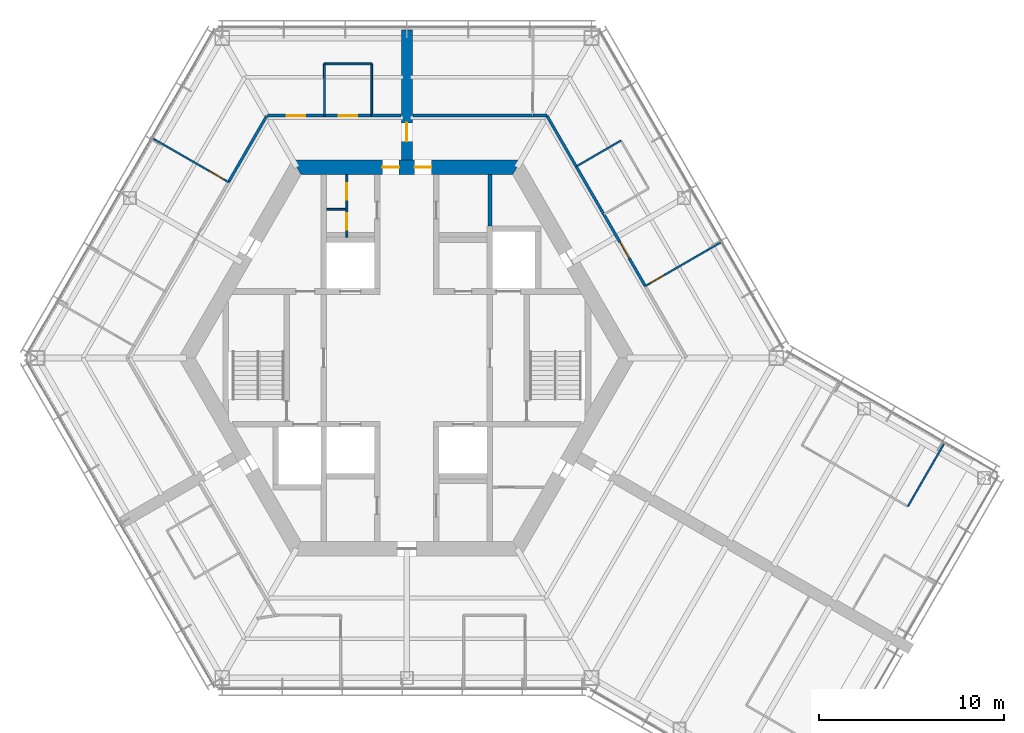
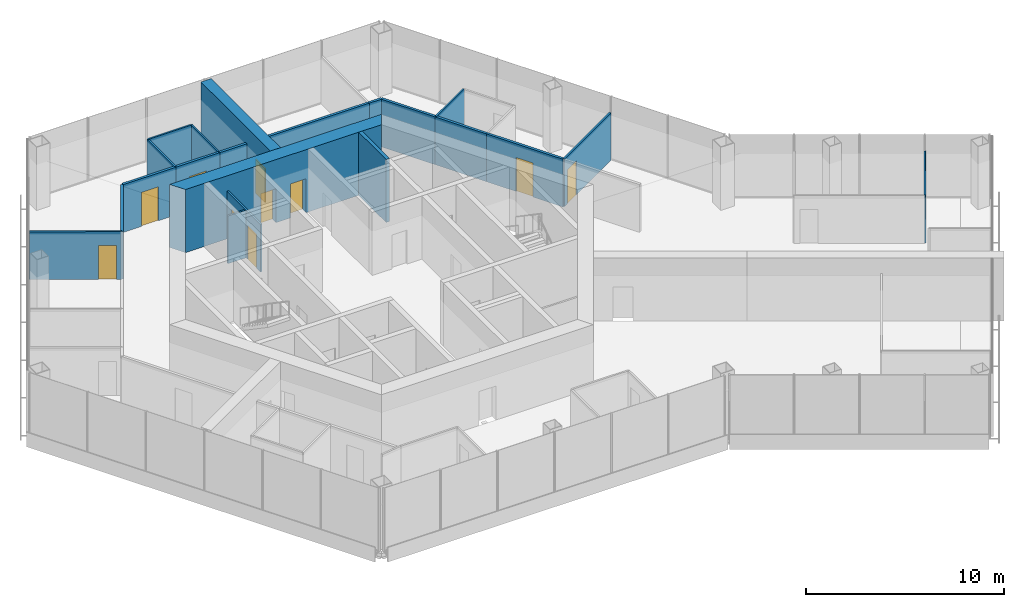
# One storey, part 12 of 16: 21 walls, 10 doors, 10 openings.
"""IFC4 building model written with IfcOpenShell, lengths in metres."""

from ifc_helpers import new_model, si_unit, direction, frame, frame_2d, origin, place, context, subcontext, project, spatial, polyline, rectangle, outline, extrude, material, layer, layer_set, type_object, element, fill, save


model = new_model("IFC4")

# Units and contexts
model_context = context("Model", 3, precision=1e-05, world=origin(), true_north=direction((0.0, 1.0)))
body_context = subcontext(model_context, "Body", "Model", "MODEL_VIEW")
ifc_project = project(units=[si_unit("LENGTHUNIT", "METRE"), si_unit("AREAUNIT", "SQUARE_METRE"), si_unit("VOLUMEUNIT", "CUBIC_METRE"), si_unit("PLANEANGLEUNIT", "RADIAN"), si_unit("MASSUNIT", "GRAM", prefix="KILO")], contexts=[model_context])

# Site, building, storey
site_placement = place(None, origin())
site = spatial("IfcSite", under=ifc_project, at=site_placement, CompositionType="ELEMENT")
building_placement = place(site_placement, origin())
building = spatial("IfcBuilding", under=site, at=building_placement, Name="Kasaneha Research Tower", CompositionType="ELEMENT")
storey_placement = place(building_placement, frame((0.0, 0.0, 263.5)))
storey = spatial("IfcBuildingStorey", under=building, at=storey_placement, Name="L66", CompositionType="ELEMENT", Elevation=263.5)

# Wall, openings, doors
ifc_material_1 = material(Name="Concrete Fc60", Category="concrete")
ifc_layer_1 = layer(ifc_material_1, 0.800048828125)
ifc_layer_set_1 = layer_set([ifc_layer_1], Name="Core wall 800 Fc60")
wall_type_1 = type_object("IfcWallType", Name="Core wall 800 Fc60", PredefinedType="SHEAR", material=ifc_layer_set_1)
wall_1_placement = place(storey_placement, frame((5.961181640625, 10.324951171875, 0.0), z_axis=(0.0, 0.0, 1.0), x_axis=(-1.0, 0.0, 0.0)))
wall_1 = element("IfcWall", 1, at=wall_1_placement, inside=storey, type_object=wall_type_1, Name="Core wall 090 L66", PredefinedType="SHEAR", context=body_context, shape_type="SweptSolid", body=[
    extrude(outline(polyline([(-0.23095703125, -0.39990234375), (4.63623046875, -0.39990234375), (5.5361328125, -0.39990234375), (6.38623046875, -0.39990234375), (7.2861328125, -0.39990234375), (12.1533203125, -0.39990234375), (11.69140625, 0.39990234375), (7.2861328125, 0.39990234375), (6.38623046875, 0.39990234375), (5.5361328125, 0.39990234375), (4.63623046875, 0.39990234375), (0.23095703125, 0.39990234375), (-0.23095703125, -0.39990234375)])), origin(), (0.0, 0.0, 1.0), 3.89990234375),
])
opening_1_placement = place(wall_1_placement, frame((6.38623046875, 0.0, 0.0)))
opening_1 = element("IfcOpeningElement", 2, at=opening_1_placement, cuts=wall_1, Name="Opening L66-D01", PredefinedType="OPENING", context=body_context, shape_type="SweptSolid", body=[
    extrude(rectangle(XDim=0.89990234375, YDim=2.10009765625, at=frame_2d((0.449951171875, 1.050048828125))), frame((0.0, 0.41015625, 0.0), z_axis=(0.0, -1.0, 0.0), x_axis=(1.0, 0.0, 0.0)), (0.0, 0.0, 1.0), 0.820068359375),
])
opening_2_placement = place(wall_1_placement, frame((4.63623046875, 0.0, 0.0)))
opening_2 = element("IfcOpeningElement", 3, at=opening_2_placement, cuts=wall_1, Name="Opening L66-D02", PredefinedType="OPENING", context=body_context, shape_type="SweptSolid", body=[
    extrude(rectangle(XDim=0.89990234375, YDim=2.10009765625, at=frame_2d((0.449951171875, 1.050048828125))), frame((0.0, 0.41015625, 0.0), z_axis=(0.0, -1.0, 0.0), x_axis=(1.0, 0.0, 0.0)), (0.0, 0.0, 1.0), 0.820068359375),
])
ifc_material_2 = material(Name="Steel", Category="steel")
door_type_1 = type_object("IfcDoorType", Name="Toilet door FD20 900x2100", OperationType="NOTDEFINED", PredefinedType="DOOR", material=ifc_material_2)
door_1_placement = place(opening_1_placement, origin())
door_1 = element("IfcDoor", 4, at=door_1_placement, inside=storey, type_object=door_type_1, Name="Core door north 1 L66-D01", OperationType="SINGLE_SWING_RIGHT", OverallHeight=2.10009765625, OverallWidth=0.89990234375, PredefinedType="DOOR", context=body_context, shape_type="SweptSolid", body=[
    extrude(rectangle(XDim=0.89990234375, YDim=2.10009765625, at=frame_2d((0.449951171875, 1.050048828125))), frame((0.0, 0.02490234375, 0.0), z_axis=(0.0, -1.0, 0.0), x_axis=(1.0, 0.0, 0.0)), (0.0, 0.0, 1.0), 0.050048828125),
])
fill(opening_1, door_1)
door_2_placement = place(opening_2_placement, origin())
door_2 = element("IfcDoor", 5, at=door_2_placement, inside=storey, type_object=door_type_1, Name="Core door north 2 L66-D02", OperationType="SINGLE_SWING_LEFT", OverallHeight=2.10009765625, OverallWidth=0.89990234375, PredefinedType="DOOR", context=body_context, shape_type="SweptSolid", body=[
    extrude(rectangle(XDim=0.89990234375, YDim=2.10009765625, at=frame_2d((0.449951171875, 1.050048828125))), frame((0.0, 0.02490234375, 0.0), z_axis=(0.0, -1.0, 0.0), x_axis=(1.0, 0.0, 0.0)), (0.0, 0.0, 1.0), 0.050048828125),
])
fill(opening_2, door_2)

ifc_material_3 = material(Name="Gypsum board on steel studs, one layer each side", Category="steel")
ifc_layer_2 = layer(ifc_material_3, 0.10009765625)
ifc_layer_set_2 = layer_set([ifc_layer_2], Name="Office partition 100")
wall_type_2 = type_object("IfcWallType", Name="Office partition 100", PredefinedType="PARTITIONING", material=ifc_layer_set_2)
wall_2_placement = place(storey_placement, frame((-3.25, 6.550048828125, 0.0), z_axis=(0.0, 0.0, 1.0), x_axis=(0.0, 1.0, 0.0)))
wall_2 = element("IfcWall", 6, at=wall_2_placement, inside=storey, type_object=wall_type_2, Name="Office partition TBM1 L66", PredefinedType="PARTITIONING", context=body_context, shape_type="SweptSolid", body=[
    extrude(rectangle(XDim=3.375, YDim=0.10009765625, at=frame_2d((1.6875, 0.0))), origin(), (0.0, 0.0, 1.0), 2.949951171875),
])
opening_3_placement = place(wall_2_placement, frame((2.012451171875, 0.0, 0.0)))
opening_3 = element("IfcOpeningElement", 7, at=opening_3_placement, cuts=wall_2, Name="Opening L66-D21", PredefinedType="OPENING", context=body_context, shape_type="SweptSolid", body=[
    extrude(rectangle(XDim=0.89990234375, YDim=2.10009765625, at=frame_2d((0.449951171875, 1.050048828125))), frame((0.0, 0.06005859375, 0.0), z_axis=(0.0, -1.0, 0.0), x_axis=(1.0, 0.0, 0.0)), (0.0, 0.0, 1.0), 0.1201171875),
])
opening_4_placement = place(wall_2_placement, frame((0.39990234375, 0.0, 0.0)))
opening_4 = element("IfcOpeningElement", 8, at=opening_4_placement, cuts=wall_2, Name="Opening L66-D22", PredefinedType="OPENING", context=body_context, shape_type="SweptSolid", body=[
    extrude(rectangle(XDim=0.89990234375, YDim=2.10009765625, at=frame_2d((0.449951171875, 1.050048828125))), frame((0.0, 0.06005859375, 0.0), z_axis=(0.0, -1.0, 0.0), x_axis=(1.0, 0.0, 0.0)), (0.0, 0.0, 1.0), 0.1201171875),
])
ifc_material_4 = material(Name="Steel", Category="steel")
door_type_2 = type_object("IfcDoorType", Name="Toilet lobby door FD30 900x2100", OperationType="NOTDEFINED", PredefinedType="DOOR", material=ifc_material_4)
door_3_placement = place(opening_3_placement, origin())
door_3 = element("IfcDoor", 9, at=door_3_placement, inside=storey, type_object=door_type_2, Name="Men's WC door L66-D21", OperationType="SINGLE_SWING_RIGHT", OverallHeight=2.10009765625, OverallWidth=0.89990234375, PredefinedType="DOOR", context=body_context, shape_type="SweptSolid", body=[
    extrude(rectangle(XDim=0.89990234375, YDim=2.10009765625, at=frame_2d((0.449951171875, 1.050048828125))), frame((0.0, 0.02490234375, 0.0), z_axis=(0.0, -1.0, 0.0), x_axis=(1.0, 0.0, 0.0)), (0.0, 0.0, 1.0), 0.050048828125),
])
fill(opening_3, door_3)
door_4_placement = place(opening_4_placement, origin())
door_4 = element("IfcDoor", 10, at=door_4_placement, inside=storey, type_object=door_type_2, Name="Cleaner's store door L66-D22", OperationType="SINGLE_SWING_RIGHT", OverallHeight=2.10009765625, OverallWidth=0.89990234375, PredefinedType="DOOR", context=body_context, shape_type="SweptSolid", body=[
    extrude(rectangle(XDim=0.89990234375, YDim=2.10009765625, at=frame_2d((0.449951171875, 1.050048828125))), frame((0.0, 0.02490234375, 0.0), z_axis=(0.0, -1.0, 0.0), x_axis=(1.0, 0.0, 0.0)), (0.0, 0.0, 1.0), 0.050048828125),
])
fill(opening_4, door_4)

# Walls
wall_3_placement = place(storey_placement, frame((-3.300048828125, 8.050048828125, 0.0), z_axis=(0.0, 0.0, 1.0), x_axis=(-1.0, 0.0, 0.0)))
element("IfcWall", 11, at=wall_3_placement, inside=storey, type_object=wall_type_2, Name="Office partition TBM2 L66", PredefinedType="PARTITIONING", context=body_context, shape_type="SweptSolid", body=[
    extrude(rectangle(XDim=1.050048828125, YDim=0.10009765625, at=frame_2d((0.52490234375, 0.0))), origin(), (0.0, 0.0, 1.0), 2.949951171875),
])
wall_4_placement = place(storey_placement, frame((9.168701171875, 10.369140625, 0.0), z_axis=(0.0, 0.0, 1.0), x_axis=(0.865255114713, 0.501331812737, 0.0)))
element("IfcWall", 12, at=wall_4_placement, inside=storey, type_object=wall_type_2, Name="Office partition FAE07 L66", PredefinedType="PARTITIONING", context=body_context, shape_type="SweptSolid", body=[
    extrude(rectangle(XDim=2.800048828125, YDim=0.10009765625, at=frame_2d((1.39990234375, 0.0))), origin(), (0.0, 0.0, 1.0), 2.949951171875),
])

# Wall, opening, door
wall_5_placement = place(storey_placement, frame((12.907470703125, 3.8935546875, 0.0), z_axis=(0.0, 0.0, 1.0), x_axis=(0.86555176604, 0.500819468776, 0.0)))
wall_5 = element("IfcWall", 13, at=wall_5_placement, inside=storey, type_object=wall_type_2, Name="Office partition FAE10 L66", PredefinedType="PARTITIONING", context=body_context, shape_type="SweptSolid", body=[
    extrude(rectangle(XDim=4.70556640625, YDim=0.10009765625, at=frame_2d((2.352783203125, 0.0))), origin(), (0.0, 0.0, 1.0), 2.949951171875),
])
opening_5_placement = place(wall_5_placement, frame((0.300048828125, 0.0, 0.0)))
opening_5 = element("IfcOpeningElement", 14, at=opening_5_placement, cuts=wall_5, Name="Opening L66-D26", PredefinedType="OPENING", context=body_context, shape_type="SweptSolid", body=[
    extrude(rectangle(XDim=0.89990234375, YDim=2.10009765625, at=frame_2d((0.449951171875, 1.050048828125))), frame((0.0, 0.06005859375, 0.0), z_axis=(0.0, -1.0, 0.0), x_axis=(1.0, 0.0, 0.0)), (0.0, 0.0, 1.0), 0.1201171875),
])
ifc_material_5 = material(Name="Timber veneer", Category="wood")
door_type_3 = type_object("IfcDoorType", Name="Office door 900x2100", OperationType="SINGLE_SWING_LEFT", PredefinedType="DOOR", material=ifc_material_5)
door_5_placement = place(opening_5_placement, origin())
door_5 = element("IfcDoor", 15, at=door_5_placement, inside=storey, type_object=door_type_3, Name="Tatami reception room door L66-D26", OperationType="SINGLE_SWING_LEFT", OverallHeight=2.10009765625, OverallWidth=0.89990234375, PredefinedType="DOOR", context=body_context, shape_type="SweptSolid", body=[
    extrude(rectangle(XDim=0.89990234375, YDim=2.10009765625, at=frame_2d((0.449951171875, 1.050048828125))), frame((0.0, 0.02490234375, 0.0), z_axis=(0.0, -1.0, 0.0), x_axis=(1.0, 0.0, 0.0)), (0.0, 0.0, 1.0), 0.050048828125),
])
fill(opening_5, door_5)

# Walls
wall_6_placement = place(storey_placement, frame((-4.465087890625, 15.925048828125, 0.0), z_axis=(0.0, 0.0, 1.0), x_axis=(1.0, 0.0, 0.0)))
element("IfcWall", 16, at=wall_6_placement, inside=storey, type_object=wall_type_2, Name="Office partition FAW04 L66", PredefinedType="PARTITIONING", context=body_context, shape_type="SweptSolid", body=[
    extrude(rectangle(XDim=2.565185546875, YDim=0.10009765625, at=frame_2d((1.28271484375, 0.0))), origin(), (0.0, 0.0, 1.0), 2.949951171875),
])
for number, where, z_axis, x_axis, name in (
    (17, (-4.46044921875, 13.125, 0.0), (0.0, 0.0, 1.0), (-0.001656637364, 0.999998627775, 0.0), "Office partition FAW05 L66"),
    (18, (-1.89990234375, 15.925048828125, 0.0), (0.0, 0.0, 1.0), (-0.001656637364, -0.999998627775, 0.0), "Office partition FAW06 L66"),
):
    element("IfcWall", number, at=place(storey_placement, frame(where, z_axis=z_axis, x_axis=x_axis)), inside=storey, type_object=wall_type_2, Name=name, PredefinedType="PARTITIONING", context=body_context, shape_type="SweptSolid", body=[
        extrude(rectangle(XDim=2.800048828125, YDim=0.10009765625, at=frame_2d((1.39990234375, 0.0))), origin(), (0.0, 0.0, 1.0), 2.949951171875),
    ])

# Wall, opening, door
wall_7_placement = place(storey_placement, frame((-9.656494140625, 9.5244140625, 0.0), z_axis=(0.0, 0.0, 1.0), x_axis=(-0.866526579402, 0.499130931911, 0.0)))
wall_7 = element("IfcWall", 19, at=wall_7_placement, inside=storey, type_object=wall_type_2, Name="Office partition FBN06 L66", PredefinedType="PARTITIONING", context=body_context, shape_type="SweptSolid", body=[
    extrude(rectangle(XDim=4.705322265625, YDim=0.10009765625, at=frame_2d((2.3525390625, 0.0))), origin(), (0.0, 0.0, 1.0), 2.949951171875),
])
opening_6_placement = place(wall_7_placement, frame((0.300048828125, 0.0, 0.0)))
opening_6 = element("IfcOpeningElement", 20, at=opening_6_placement, cuts=wall_7, Name="Opening L66-D32", PredefinedType="OPENING", context=body_context, shape_type="SweptSolid", body=[
    extrude(rectangle(XDim=0.89990234375, YDim=2.10009765625, at=frame_2d((0.449951171875, 1.050048828125))), frame((0.0, 0.06005859375, 0.0), z_axis=(0.0, -1.0, 0.0), x_axis=(1.0, 0.0, 0.0)), (0.0, 0.0, 1.0), 0.1201171875),
])
door_6_placement = place(opening_6_placement, origin())
door_6 = element("IfcDoor", 21, at=door_6_placement, inside=storey, type_object=door_type_3, Name="Executive office door L66-D32", OperationType="SINGLE_SWING_LEFT", OverallHeight=2.10009765625, OverallWidth=0.89990234375, PredefinedType="DOOR", context=body_context, shape_type="SweptSolid", body=[
    extrude(rectangle(XDim=0.89990234375, YDim=2.10009765625, at=frame_2d((0.449951171875, 1.050048828125))), frame((0.0, 0.02490234375, 0.0), z_axis=(0.0, -1.0, 0.0), x_axis=(1.0, 0.0, 0.0)), (0.0, 0.0, 1.0), 0.050048828125),
])
fill(opening_6, door_6)

# Walls
wall_8_placement = place(storey_placement, frame((29.080078125, -4.6533203125, 0.0), z_axis=(0.0, 0.0, 1.0), x_axis=(-0.500007107024, -0.866021300503, 0.0)))
element("IfcWall", 22, at=wall_8_placement, inside=storey, type_object=wall_type_2, Name="Office partition FCE03 L66", PredefinedType="PARTITIONING", context=body_context, shape_type="SweptSolid", body=[
    extrude(rectangle(XDim=3.91015625, YDim=0.10009765625, at=frame_2d((1.955078125, 0.0))), origin(), (0.0, 0.0, 1.0), 2.949951171875),
])
ifc_material_6 = material(Name="Concrete block", Category="concrete")
ifc_layer_3 = layer(ifc_material_6, 0.199951171875)
ifc_layer_set_3 = layer_set([ifc_layer_3], Name="Riser enclosure wall 200")
wall_type_3 = type_object("IfcWallType", Name="Riser enclosure wall 200", PredefinedType="STANDARD", material=ifc_layer_set_3)
wall_9_placement = place(storey_placement, frame((4.5, 7.14990234375, 0.0), z_axis=(0.0, 0.0, 1.0), x_axis=(0.0, 1.0, 0.0)))
element("IfcWall", 23, at=wall_9_placement, inside=storey, type_object=wall_type_3, Name="Riser enclosure wall L66", PredefinedType="STANDARD", context=body_context, shape_type="SweptSolid", body=[
    extrude(rectangle(XDim=2.775146484375, YDim=0.199951171875, at=frame_2d((1.3876953125, 0.0))), origin(), (0.0, 0.0, 1.0), 3.89990234375),
])

# Wall, opening, door
ifc_material_7 = material(Name="Concrete Fc60", Category="concrete")
ifc_layer_4 = layer(ifc_material_7, 0.60009765625)
ifc_layer_set_4 = layer_set([ifc_layer_4], Name="Spine wall 600 Fc60")
wall_type_4 = type_object("IfcWallType", Name="Spine wall 600 Fc60", PredefinedType="SHEAR", material=ifc_layer_set_4)
wall_10_placement = place(storey_placement, frame((0.0, 10.72509765625, 0.0), z_axis=(0.0, 0.0, 1.0), x_axis=(0.0, 1.0, 0.0)))
wall_10 = element("IfcWall", 24, at=wall_10_placement, inside=storey, type_object=wall_type_4, Name="Spine wall A L66", PredefinedType="SHEAR", context=body_context, shape_type="SweptSolid", body=[
    extrude(rectangle(XDim=7.04541015625, YDim=0.60009765625, at=frame_2d((3.522705078125, 0.0))), origin(), (0.0, 0.0, 1.0), 3.89990234375),
])
opening_7_placement = place(wall_10_placement, frame((1.0, 0.0, 0.0)))
opening_7 = element("IfcOpeningElement", 25, at=opening_7_placement, cuts=wall_10, Name="Opening L66-D18", PredefinedType="OPENING", context=body_context, shape_type="SweptSolid", body=[
    extrude(rectangle(XDim=1.0, YDim=2.10009765625, at=frame_2d((0.5, 1.050048828125))), frame((0.0, 0.31005859375, 0.0), z_axis=(0.0, -1.0, 0.0), x_axis=(1.0, 0.0, 0.0)), (0.0, 0.0, 1.0), 0.6201171875),
])
ifc_material_8 = material(Name="Steel", Category="steel")
door_type_4 = type_object("IfcDoorType", Name="Specified fire door FD60 1000x2100", OperationType="NOTDEFINED", PredefinedType="DOOR", material=ifc_material_8)
door_7_placement = place(opening_7_placement, origin())
door_7 = element("IfcDoor", 26, at=door_7_placement, inside=storey, type_object=door_type_4, Name="Spine doorway A L66-D18", OperationType="SINGLE_SWING_LEFT", OverallHeight=2.10009765625, OverallWidth=1.0, PredefinedType="DOOR", context=body_context, shape_type="SweptSolid", body=[
    extrude(rectangle(XDim=1.0, YDim=2.10009765625, at=frame_2d((0.5, 1.050048828125))), frame((0.0, 0.02490234375, 0.0), z_axis=(0.0, -1.0, 0.0), x_axis=(1.0, 0.0, 0.0)), (0.0, 0.0, 1.0), 0.050048828125),
])
fill(opening_7, door_7)

# Walls
ifc_material_9 = material(Name="Gypsum board on steel studs, two layers each side", Category="steel")
ifc_layer_5 = layer(ifc_material_9, 0.14990234375)
ifc_layer_set_5 = layer_set([ifc_layer_5], Name="Suite partition 150")
wall_type_5 = type_object("IfcWallType", Name="Suite partition 150", PredefinedType="PARTITIONING", material=ifc_layer_set_5)
wall_11_placement = place(storey_placement, frame((9.1640625, 10.377197265625, 0.0), z_axis=(0.0, 0.0, 1.0), x_axis=(0.500038395149, -0.8660032352, 0.0)))
element("IfcWall", 27, at=wall_11_placement, inside=storey, type_object=wall_type_5, Name="Suite partition FAE01 L66", PredefinedType="PARTITIONING", context=body_context, shape_type="SweptSolid", body=[
    extrude(rectangle(XDim=3.010009765625, YDim=0.14990234375, at=frame_2d((1.5048828125, 0.0))), origin(), (0.0, 0.0, 1.0), 2.949951171875),
])
wall_12_placement = place(storey_placement, frame((0.320068359375, 13.125, 0.0), z_axis=(0.0, 0.0, 1.0), x_axis=(1.0, 0.0, 0.0)))
element("IfcWall", 28, at=wall_12_placement, inside=storey, type_object=wall_type_5, Name="Suite partition FAE03 L66", PredefinedType="PARTITIONING", context=body_context, shape_type="SweptSolid", body=[
    extrude(rectangle(XDim=6.515869140625, YDim=0.14990234375, at=frame_2d((3.2578125, 0.0))), origin(), (0.0, 0.0, 1.0), 2.949951171875),
])
wall_13_placement = place(storey_placement, frame((6.826416015625, 13.125, 0.0), z_axis=(0.0, 0.0, 1.0), x_axis=(1.0, 0.0, 0.0)))
element("IfcWall", 29, at=wall_13_placement, inside=storey, type_object=wall_type_5, Name="Suite partition FAE04 L66", PredefinedType="PARTITIONING", context=body_context, shape_type="SweptSolid", body=[
    extrude(rectangle(XDim=0.751220703125, YDim=0.14990234375, at=frame_2d((0.37548828125, 0.0))), origin(), (0.0, 0.0, 1.0), 2.949951171875),
])
wall_14_placement = place(storey_placement, frame((7.57763671875, 13.125, 0.0), z_axis=(0.0, 0.0, 1.0), x_axis=(0.499992528944, -0.866029717158, 0.0)))
element("IfcWall", 30, at=wall_14_placement, inside=storey, type_object=wall_type_5, Name="Suite partition FAE05 L66", PredefinedType="PARTITIONING", context=body_context, shape_type="SweptSolid", body=[
    extrude(rectangle(XDim=3.18212890625, YDim=0.14990234375, at=frame_2d((1.591064453125, 0.0))), origin(), (0.0, 0.0, 1.0), 2.949951171875),
])

# Wall, opening, door
wall_15_placement = place(storey_placement, frame((10.664306640625, 7.77880859375, 0.0), z_axis=(0.0, 0.0, 1.0), x_axis=(0.500001951578, -0.866024277037, 0.0)))
wall_15 = element("IfcWall", 31, at=wall_15_placement, inside=storey, type_object=wall_type_5, Name="Suite partition FAE06 L66", PredefinedType="PARTITIONING", context=body_context, shape_type="SweptSolid", body=[
    extrude(rectangle(XDim=4.486328125, YDim=0.14990234375, at=frame_2d((2.2431640625, 0.0))), origin(), (0.0, 0.0, 1.0), 2.949951171875),
])
opening_8_placement = place(wall_15_placement, frame((1.7431640625, 0.0, 0.0)))
opening_8 = element("IfcOpeningElement", 32, at=opening_8_placement, cuts=wall_15, Name="Opening L66-D24", PredefinedType="OPENING", context=body_context, shape_type="SweptSolid", body=[
    extrude(rectangle(XDim=1.0, YDim=2.10009765625, at=frame_2d((0.5, 1.050048828125))), frame((0.0, 0.0849609375, 0.0), z_axis=(0.0, -1.0, 0.0), x_axis=(1.0, 0.0, 0.0)), (0.0, 0.0, 1.0), 0.169921875),
])
ifc_material_10 = material(Name="Steel", Category="steel")
door_type_5 = type_object("IfcDoorType", Name="Suite entrance door FD60 1000x2100", OperationType="NOTDEFINED", PredefinedType="DOOR", material=ifc_material_10)
door_8_placement = place(opening_8_placement, origin())
door_8 = element("IfcDoor", 33, at=door_8_placement, inside=storey, type_object=door_type_5, Name="Suite entrance door L66-D24", OperationType="SINGLE_SWING_LEFT", OverallHeight=2.10009765625, OverallWidth=1.0, PredefinedType="DOOR", context=body_context, shape_type="SweptSolid", body=[
    extrude(rectangle(XDim=1.0, YDim=2.10009765625, at=frame_2d((0.5, 1.050048828125))), frame((0.0, 0.02490234375, 0.0), z_axis=(0.0, -1.0, 0.0), x_axis=(1.0, 0.0, 0.0)), (0.0, 0.0, 1.0), 0.050048828125),
])
fill(opening_8, door_8)

wall_16_placement = place(storey_placement, frame((-4.469970703125, 13.125, 0.0), z_axis=(0.0, 0.0, 1.0), x_axis=(1.0, 0.0, 0.0)))
wall_16 = element("IfcWall", 34, at=wall_16_placement, inside=storey, type_object=wall_type_5, Name="Suite partition FAW01 L66", PredefinedType="PARTITIONING", context=body_context, shape_type="SweptSolid", body=[
    extrude(rectangle(XDim=2.574951171875, YDim=0.14990234375, at=frame_2d((1.28759765625, 0.0))), origin(), (0.0, 0.0, 1.0), 2.949951171875),
])
opening_9_placement = place(wall_16_placement, frame((0.78759765625, 0.0, 0.0)))
opening_9 = element("IfcOpeningElement", 35, at=opening_9_placement, cuts=wall_16, Name="Opening L66-D28", PredefinedType="OPENING", context=body_context, shape_type="SweptSolid", body=[
    extrude(rectangle(XDim=1.0, YDim=2.10009765625, at=frame_2d((0.5, 1.050048828125))), frame((0.0, 0.0849609375, 0.0), z_axis=(0.0, -1.0, 0.0), x_axis=(1.0, 0.0, 0.0)), (0.0, 0.0, 1.0), 0.169921875),
])
door_9_placement = place(opening_9_placement, origin())
door_9 = element("IfcDoor", 36, at=door_9_placement, inside=storey, type_object=door_type_5, Name="Suite entrance door L66-D28", OperationType="SINGLE_SWING_RIGHT", OverallHeight=2.10009765625, OverallWidth=1.0, PredefinedType="DOOR", context=body_context, shape_type="SweptSolid", body=[
    extrude(rectangle(XDim=1.0, YDim=2.10009765625, at=frame_2d((0.5, 1.050048828125))), frame((0.0, 0.02490234375, 0.0), z_axis=(0.0, -1.0, 0.0), x_axis=(1.0, 0.0, 0.0)), (0.0, 0.0, 1.0), 0.050048828125),
])
fill(opening_9, door_9)

wall_17_placement = place(storey_placement, frame((-7.5546875, 13.125, 0.0), z_axis=(0.0, 0.0, 1.0), x_axis=(1.0, 0.0, 0.0)))
wall_17 = element("IfcWall", 37, at=wall_17_placement, inside=storey, type_object=wall_type_5, Name="Suite partition FAW02 L66", PredefinedType="PARTITIONING", context=body_context, shape_type="SweptSolid", body=[
    extrude(rectangle(XDim=3.09423828125, YDim=0.14990234375, at=frame_2d((1.547119140625, 0.0))), origin(), (0.0, 0.0, 1.0), 2.949951171875),
])
opening_10_placement = place(wall_17_placement, frame((1.047119140625, 0.0, 0.0)))
opening_10 = element("IfcOpeningElement", 38, at=opening_10_placement, cuts=wall_17, Name="Opening L66-D29", PredefinedType="OPENING", context=body_context, shape_type="SweptSolid", body=[
    extrude(rectangle(XDim=1.0, YDim=2.10009765625, at=frame_2d((0.5, 1.050048828125))), frame((0.0, 0.0849609375, 0.0), z_axis=(0.0, -1.0, 0.0), x_axis=(1.0, 0.0, 0.0)), (0.0, 0.0, 1.0), 0.169921875),
])
door_10_placement = place(opening_10_placement, origin())
door_10 = element("IfcDoor", 39, at=door_10_placement, inside=storey, type_object=door_type_5, Name="Suite entrance door L66-D29", OperationType="SINGLE_SWING_LEFT", OverallHeight=2.10009765625, OverallWidth=1.0, PredefinedType="DOOR", context=body_context, shape_type="SweptSolid", body=[
    extrude(rectangle(XDim=1.0, YDim=2.10009765625, at=frame_2d((0.5, 1.050048828125))), frame((0.0, 0.02490234375, 0.0), z_axis=(0.0, -1.0, 0.0), x_axis=(1.0, 0.0, 0.0)), (0.0, 0.0, 1.0), 0.050048828125),
])
fill(opening_10, door_10)

# Walls
wall_18_placement = place(storey_placement, frame((-1.904541015625, 13.125, 0.0), z_axis=(0.0, 0.0, 1.0), x_axis=(1.0, 0.0, 0.0)))
element("IfcWall", 40, at=wall_18_placement, inside=storey, type_object=wall_type_5, Name="Suite partition FAW03 L66", PredefinedType="PARTITIONING", context=body_context, shape_type="SweptSolid", body=[
    extrude(rectangle(XDim=1.58447265625, YDim=0.14990234375, at=frame_2d((0.792236328125, 0.0))), origin(), (0.0, 0.0, 1.0), 2.949951171875),
])
wall_19_placement = place(storey_placement, frame((-9.661376953125, 9.51611328125, 0.0), z_axis=(0.0, 0.0, 1.0), x_axis=(0.499997836828, 0.866026652689, 0.0)))
element("IfcWall", 41, at=wall_19_placement, inside=storey, type_object=wall_type_5, Name="Suite partition FBN01 L66", PredefinedType="PARTITIONING", context=body_context, shape_type="SweptSolid", body=[
    extrude(rectangle(XDim=4.14404296875, YDim=0.14990234375, at=frame_2d((2.072021484375, 0.0))), origin(), (0.0, 0.0, 1.0), 2.949951171875),
])

save(model, "model.ifc")
